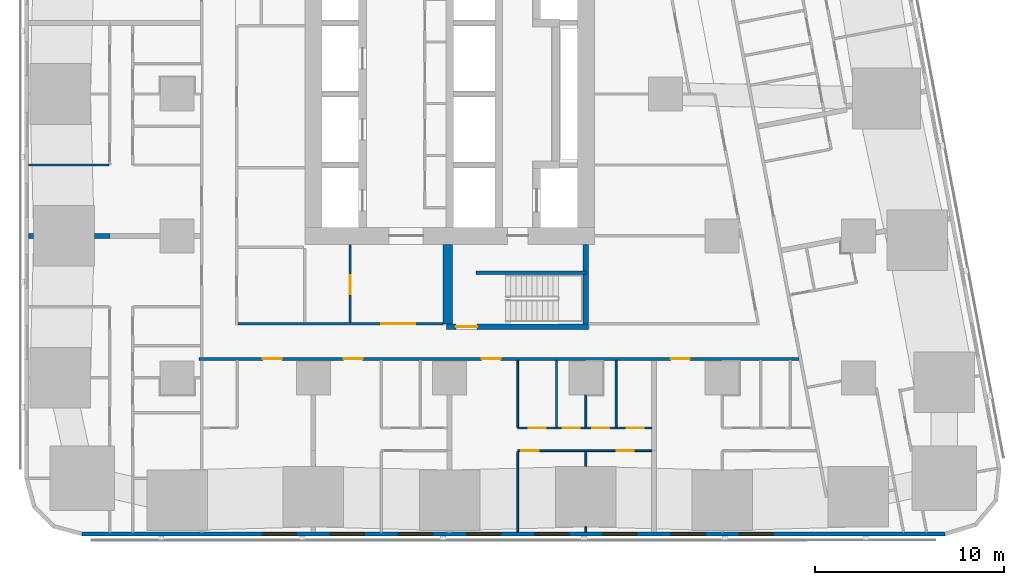
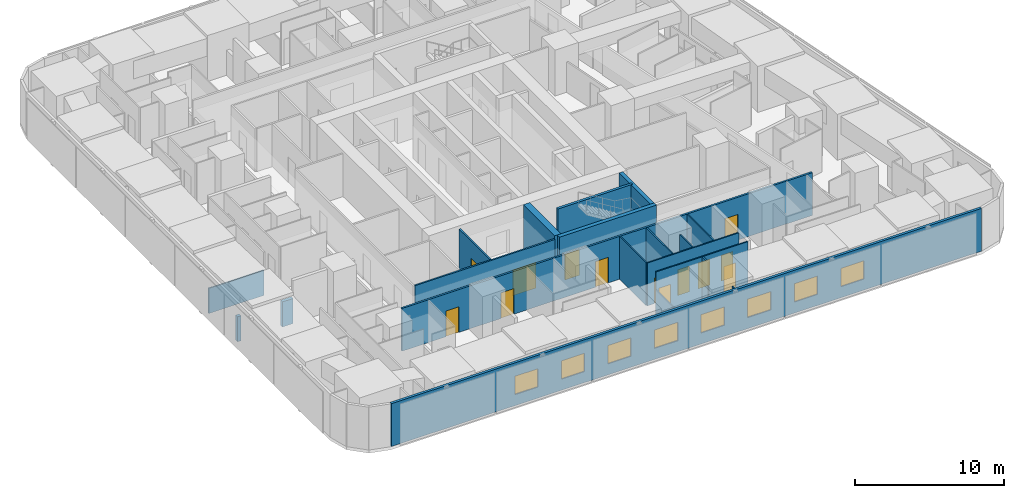
# One storey, part 3 of 17: 20 walls, 13 doors, 8 windows, 21 openings.
"""IFC4 building model written with IfcOpenShell, lengths in metres."""

from ifc_helpers import new_model, si_unit, direction, frame, frame_2d, origin, place, context, subcontext, project, spatial, rectangle, extrude, material, layer, layer_set, type_object, element, fill, save


model = new_model("IFC4")

# Units and contexts
model_context = context("Model", 3, precision=1e-05, world=origin(), true_north=direction((0.0, 1.0)))
body_context = subcontext(model_context, "Body", "Model", "MODEL_VIEW")
ifc_project = project(units=[si_unit("LENGTHUNIT", "METRE"), si_unit("AREAUNIT", "SQUARE_METRE"), si_unit("VOLUMEUNIT", "CUBIC_METRE"), si_unit("PLANEANGLEUNIT", "RADIAN"), si_unit("MASSUNIT", "GRAM", prefix="KILO")], contexts=[model_context])

# Site, building, storey
site_placement = place(None, origin())
site = spatial("IfcSite", under=ifc_project, at=site_placement, CompositionType="ELEMENT")
building_placement = place(site_placement, origin())
building = spatial("IfcBuilding", under=site, at=building_placement, Name="Sheger Commons Tower", CompositionType="ELEMENT")
storey_placement = place(building_placement, frame((0.0, 0.0, 23.75)))
storey = spatial("IfcBuildingStorey", under=building, at=storey_placement, Name="L05", CompositionType="ELEMENT", Elevation=23.75)

# Wall, openings, doors
ifc_material_1 = material(Name="Hollow concrete block masonry, skimmed both sides", Category="masonry")
ifc_layer_1 = layer(ifc_material_1, 0.14990234375)
ifc_layer_set_1 = layer_set([ifc_layer_1], Name="CORRIDOR WALL 150")
wall_type_1 = type_object("IfcWallType", Name="CORRIDOR WALL 150", PredefinedType="SOLIDWALL", material=ifc_layer_set_1)
wall_1_placement = place(storey_placement, frame((40.053955078125, 8.5, 0.0), z_axis=(0.0, 0.0, 1.0), x_axis=(-1.0, 0.0, 0.0)))
wall_1 = element("IfcWall", 1, at=wall_1_placement, inside=storey, type_object=wall_type_1, Name="Corridor wall L05", PredefinedType="SOLIDWALL", context=body_context, shape_type="SweptSolid", body=[
    extrude(rectangle(XDim=31.703857421875, YDim=0.14990234375, at=frame_2d((15.85205078125, 0.0))), origin(), (0.0, 0.0, 1.0), 3.5),
])
opening_1_placement = place(wall_1_placement, frame((27.321044921875, 0.0, 0.0)))
opening_1 = element("IfcOpeningElement", 2, at=opening_1_placement, cuts=wall_1, Name="Opening D1", PredefinedType="OPENING", context=body_context, shape_type="SweptSolid", body=[
    extrude(rectangle(XDim=1.0, YDim=2.10009765625, at=frame_2d((0.5, 1.050048828125))), frame((0.0, 0.0849609375, 0.0), z_axis=(0.0, -1.0, 0.0), x_axis=(1.0, 0.0, 0.0)), (0.0, 0.0, 1.0), 0.169921875),
])
opening_2_placement = place(wall_1_placement, frame((23.053955078125, 0.0, 0.0)))
opening_2 = element("IfcOpeningElement", 3, at=opening_2_placement, cuts=wall_1, Name="Opening D1", PredefinedType="OPENING", context=body_context, shape_type="SweptSolid", body=[
    extrude(rectangle(XDim=1.0, YDim=2.10009765625, at=frame_2d((0.5, 1.050048828125))), frame((0.0, 0.0849609375, 0.0), z_axis=(0.0, -1.0, 0.0), x_axis=(1.0, 0.0, 0.0)), (0.0, 0.0, 1.0), 0.169921875),
])
opening_3_placement = place(wall_1_placement, frame((15.75390625, 0.0, 0.0)))
opening_3 = element("IfcOpeningElement", 4, at=opening_3_placement, cuts=wall_1, Name="Opening D1", PredefinedType="OPENING", context=body_context, shape_type="SweptSolid", body=[
    extrude(rectangle(XDim=1.0, YDim=2.10009765625, at=frame_2d((0.5, 1.050048828125))), frame((0.0, 0.0849609375, 0.0), z_axis=(0.0, -1.0, 0.0), x_axis=(1.0, 0.0, 0.0)), (0.0, 0.0, 1.0), 0.169921875),
])
opening_4_placement = place(wall_1_placement, frame((5.75390625, 0.0, 0.0)))
opening_4 = element("IfcOpeningElement", 5, at=opening_4_placement, cuts=wall_1, Name="Opening D1", PredefinedType="OPENING", context=body_context, shape_type="SweptSolid", body=[
    extrude(rectangle(XDim=1.0, YDim=2.10009765625, at=frame_2d((0.5, 1.050048828125))), frame((0.0, 0.0849609375, 0.0), z_axis=(0.0, -1.0, 0.0), x_axis=(1.0, 0.0, 0.0)), (0.0, 0.0, 1.0), 0.169921875),
])
ifc_material_2 = material(Name="Steel door set, fire rated", Category="steel")
door_type_1 = type_object("IfcDoorType", Name="FLAT ENTRANCE DOOR 1000x2100", OperationType="NOTDEFINED", PredefinedType="DOOR", material=ifc_material_2)
door_1_placement = place(opening_1_placement, origin())
door_1 = element("IfcDoor", 6, at=door_1_placement, inside=storey, type_object=door_type_1, Name="Flat entrance door", OperationType="SINGLE_SWING_LEFT", OverallHeight=2.10009765625, OverallWidth=1.0, PredefinedType="DOOR", context=body_context, shape_type="SweptSolid", body=[
    extrude(rectangle(XDim=1.0, YDim=2.10009765625, at=frame_2d((0.5, 1.050048828125))), frame((0.0, 0.02490234375, 0.0), z_axis=(0.0, -1.0, 0.0), x_axis=(1.0, 0.0, 0.0)), (0.0, 0.0, 1.0), 0.050048828125),
])
fill(opening_1, door_1)
door_2_placement = place(opening_2_placement, origin())
door_2 = element("IfcDoor", 7, at=door_2_placement, inside=storey, type_object=door_type_1, Name="Flat entrance door", OperationType="SINGLE_SWING_LEFT", OverallHeight=2.10009765625, OverallWidth=1.0, PredefinedType="DOOR", context=body_context, shape_type="SweptSolid", body=[
    extrude(rectangle(XDim=1.0, YDim=2.10009765625, at=frame_2d((0.5, 1.050048828125))), frame((0.0, 0.02490234375, 0.0), z_axis=(0.0, -1.0, 0.0), x_axis=(1.0, 0.0, 0.0)), (0.0, 0.0, 1.0), 0.050048828125),
])
fill(opening_2, door_2)
door_3_placement = place(opening_3_placement, origin())
door_3 = element("IfcDoor", 8, at=door_3_placement, inside=storey, type_object=door_type_1, Name="Flat entrance door", OperationType="SINGLE_SWING_LEFT", OverallHeight=2.10009765625, OverallWidth=1.0, PredefinedType="DOOR", context=body_context, shape_type="SweptSolid", body=[
    extrude(rectangle(XDim=1.0, YDim=2.10009765625, at=frame_2d((0.5, 1.050048828125))), frame((0.0, 0.02490234375, 0.0), z_axis=(0.0, -1.0, 0.0), x_axis=(1.0, 0.0, 0.0)), (0.0, 0.0, 1.0), 0.050048828125),
])
fill(opening_3, door_3)
door_4_placement = place(opening_4_placement, origin())
door_4 = element("IfcDoor", 9, at=door_4_placement, inside=storey, type_object=door_type_1, Name="Flat entrance door", OperationType="SINGLE_SWING_RIGHT", OverallHeight=2.10009765625, OverallWidth=1.0, PredefinedType="DOOR", context=body_context, shape_type="SweptSolid", body=[
    extrude(rectangle(XDim=1.0, YDim=2.10009765625, at=frame_2d((0.5, 1.050048828125))), frame((0.0, 0.02490234375, 0.0), z_axis=(0.0, -1.0, 0.0), x_axis=(1.0, 0.0, 0.0)), (0.0, 0.0, 1.0), 0.050048828125),
])
fill(opening_4, door_4)

# Walls
ifc_material_3 = material(Name="Dense concrete block masonry, plastered both sides (separating wall between flats)", Category="masonry")
ifc_layer_2 = layer(ifc_material_3, 0.25)
ifc_layer_set_2 = layer_set([ifc_layer_2], Name="DEMISING WALL 250")
wall_type_2 = type_object("IfcWallType", Name="DEMISING WALL 250", PredefinedType="SOLIDWALL", material=ifc_layer_set_2)
wall_2_placement = place(storey_placement, frame((-0.64990234375, 15.0, 0.0), z_axis=(0.0, 0.0, 1.0), x_axis=(1.0, 0.0, 0.0)))
element("IfcWall", 10, at=wall_2_placement, inside=storey, type_object=wall_type_2, Name="Demising wall L05", PredefinedType="SOLIDWALL", context=body_context, shape_type="SweptSolid", body=[
    extrude(rectangle(XDim=0.27392578125, YDim=0.25, at=frame_2d((0.136962890625, 0.0))), origin(), (0.0, 0.0, 1.0), 2.050048828125),
])
wall_3_placement = place(storey_placement, frame((2.825927734375, 15.0, 0.0), z_axis=(0.0, 0.0, 1.0), x_axis=(1.0, 0.0, 0.0)))
element("IfcWall", 11, at=wall_3_placement, inside=storey, type_object=wall_type_2, Name="Demising wall L05", PredefinedType="SOLIDWALL", context=body_context, shape_type="SweptSolid", body=[
    extrude(rectangle(XDim=0.823974609375, YDim=0.25, at=frame_2d((0.412109375, 0.0))), origin(), (0.0, 0.0, 1.0), 2.050048828125),
])

# Wall, openings, windows
ifc_material_4 = material(Name="Rendered concrete block masonry, dark grey", Category="masonry")
ifc_layer_3 = layer(ifc_material_4, 0.199951171875)
ifc_layer_set_3 = layer_set([ifc_layer_3], Name="FACADE WALL 200")
wall_type_3 = type_object("IfcWallType", Name="FACADE WALL 200", PredefinedType="SOLIDWALL", material=ifc_layer_set_3)
wall_4_placement = place(storey_placement, frame((2.1630859375, -0.75, 0.0), z_axis=(0.0, 0.0, 1.0), x_axis=(1.0, 0.0, 0.0)))
wall_4 = element("IfcWall", 12, at=wall_4_placement, inside=storey, type_object=wall_type_3, Name="Facade wall L05", PredefinedType="SOLIDWALL", context=body_context, shape_type="SweptSolid", body=[
    extrude(rectangle(XDim=45.6279296875, YDim=0.199951171875, at=frame_2d((22.81396484375, 0.0))), origin(), (0.0, 0.0, 1.0), 3.5),
])
opening_5_placement = place(wall_4_placement, frame((9.537109375, 0.0, 0.89990234375)))
opening_5 = element("IfcOpeningElement", 13, at=opening_5_placement, cuts=wall_4, Name="Opening W2", PredefinedType="OPENING", context=body_context, shape_type="SweptSolid", body=[
    extrude(rectangle(XDim=1.800048828125, YDim=1.5, at=frame_2d((0.89990234375, 0.75))), frame((0.0, 0.10986328125, 0.0), z_axis=(0.0, -1.0, 0.0), x_axis=(1.0, 0.0, 0.0)), (0.0, 0.0, 1.0), 0.219970703125),
])
opening_6_placement = place(wall_4_placement, frame((13.136962890625, 0.0, 0.89990234375)))
opening_6 = element("IfcOpeningElement", 14, at=opening_6_placement, cuts=wall_4, Name="Opening W2", PredefinedType="OPENING", context=body_context, shape_type="SweptSolid", body=[
    extrude(rectangle(XDim=1.800048828125, YDim=1.5, at=frame_2d((0.89990234375, 0.75))), frame((0.0, 0.10986328125, 0.0), z_axis=(0.0, -1.0, 0.0), x_axis=(1.0, 0.0, 0.0)), (0.0, 0.0, 1.0), 0.219970703125),
])
opening_7_placement = place(wall_4_placement, frame((16.737060546875, 0.0, 0.89990234375)))
opening_7 = element("IfcOpeningElement", 15, at=opening_7_placement, cuts=wall_4, Name="Opening W2", PredefinedType="OPENING", context=body_context, shape_type="SweptSolid", body=[
    extrude(rectangle(XDim=1.800048828125, YDim=1.5, at=frame_2d((0.89990234375, 0.75))), frame((0.0, 0.10986328125, 0.0), z_axis=(0.0, -1.0, 0.0), x_axis=(1.0, 0.0, 0.0)), (0.0, 0.0, 1.0), 0.219970703125),
])
opening_8_placement = place(wall_4_placement, frame((20.3369140625, 0.0, 0.89990234375)))
opening_8 = element("IfcOpeningElement", 16, at=opening_8_placement, cuts=wall_4, Name="Opening W2", PredefinedType="OPENING", context=body_context, shape_type="SweptSolid", body=[
    extrude(rectangle(XDim=1.800048828125, YDim=1.5, at=frame_2d((0.89990234375, 0.75))), frame((0.0, 0.10986328125, 0.0), z_axis=(0.0, -1.0, 0.0), x_axis=(1.0, 0.0, 0.0)), (0.0, 0.0, 1.0), 0.219970703125),
])
opening_9_placement = place(wall_4_placement, frame((23.93701171875, 0.0, 0.89990234375)))
opening_9 = element("IfcOpeningElement", 17, at=opening_9_placement, cuts=wall_4, Name="Opening W2", PredefinedType="OPENING", context=body_context, shape_type="SweptSolid", body=[
    extrude(rectangle(XDim=1.800048828125, YDim=1.5, at=frame_2d((0.89990234375, 0.75))), frame((0.0, 0.10986328125, 0.0), z_axis=(0.0, -1.0, 0.0), x_axis=(1.0, 0.0, 0.0)), (0.0, 0.0, 1.0), 0.219970703125),
])
opening_10_placement = place(wall_4_placement, frame((27.537109375, 0.0, 0.89990234375)))
opening_10 = element("IfcOpeningElement", 18, at=opening_10_placement, cuts=wall_4, Name="Opening W2", PredefinedType="OPENING", context=body_context, shape_type="SweptSolid", body=[
    extrude(rectangle(XDim=1.800048828125, YDim=1.5, at=frame_2d((0.89990234375, 0.75))), frame((0.0, 0.10986328125, 0.0), z_axis=(0.0, -1.0, 0.0), x_axis=(1.0, 0.0, 0.0)), (0.0, 0.0, 1.0), 0.219970703125),
])
opening_11_placement = place(wall_4_placement, frame((31.136962890625, 0.0, 0.89990234375)))
opening_11 = element("IfcOpeningElement", 19, at=opening_11_placement, cuts=wall_4, Name="Opening W2", PredefinedType="OPENING", context=body_context, shape_type="SweptSolid", body=[
    extrude(rectangle(XDim=1.800048828125, YDim=1.5, at=frame_2d((0.89990234375, 0.75))), frame((0.0, 0.10986328125, 0.0), z_axis=(0.0, -1.0, 0.0), x_axis=(1.0, 0.0, 0.0)), (0.0, 0.0, 1.0), 0.219970703125),
])
opening_12_placement = place(wall_4_placement, frame((34.737060546875, 0.0, 0.89990234375)))
opening_12 = element("IfcOpeningElement", 20, at=opening_12_placement, cuts=wall_4, Name="Opening W2", PredefinedType="OPENING", context=body_context, shape_type="SweptSolid", body=[
    extrude(rectangle(XDim=1.800048828125, YDim=1.5, at=frame_2d((0.89990234375, 0.75))), frame((0.0, 0.10986328125, 0.0), z_axis=(0.0, -1.0, 0.0), x_axis=(1.0, 0.0, 0.0)), (0.0, 0.0, 1.0), 0.219970703125),
])
ifc_material_5 = material(Name="Black aluminium frame, dark tinted double glazing", Category="aluminium")
window_type = type_object("IfcWindowType", Name="WINDOW W2 1800x1500", PartitioningType="SINGLE_PANEL", PredefinedType="WINDOW", material=ifc_material_5)
window_1_placement = place(opening_5_placement, origin())
window_1 = element("IfcWindow", 21, at=window_1_placement, inside=storey, type_object=window_type, Name="Window W2 1800X1500", OverallHeight=1.5, OverallWidth=1.800048828125, PartitioningType="SINGLE_PANEL", PredefinedType="WINDOW", context=body_context, shape_type="SweptSolid", body=[
    extrude(rectangle(XDim=1.800048828125, YDim=1.5, at=frame_2d((0.89990234375, 0.75))), frame((0.0, 0.030029296875, 0.0), z_axis=(0.0, -1.0, 0.0), x_axis=(1.0, 0.0, 0.0)), (0.0, 0.0, 1.0), 0.06005859375),
])
fill(opening_5, window_1)
window_2_placement = place(opening_6_placement, origin())
window_2 = element("IfcWindow", 22, at=window_2_placement, inside=storey, type_object=window_type, Name="Window W2 1800X1500", OverallHeight=1.5, OverallWidth=1.800048828125, PartitioningType="SINGLE_PANEL", PredefinedType="WINDOW", context=body_context, shape_type="SweptSolid", body=[
    extrude(rectangle(XDim=1.800048828125, YDim=1.5, at=frame_2d((0.89990234375, 0.75))), frame((0.0, 0.030029296875, 0.0), z_axis=(0.0, -1.0, 0.0), x_axis=(1.0, 0.0, 0.0)), (0.0, 0.0, 1.0), 0.06005859375),
])
fill(opening_6, window_2)
window_3_placement = place(opening_7_placement, origin())
window_3 = element("IfcWindow", 23, at=window_3_placement, inside=storey, type_object=window_type, Name="Window W2 1800X1500", OverallHeight=1.5, OverallWidth=1.800048828125, PartitioningType="SINGLE_PANEL", PredefinedType="WINDOW", context=body_context, shape_type="SweptSolid", body=[
    extrude(rectangle(XDim=1.800048828125, YDim=1.5, at=frame_2d((0.89990234375, 0.75))), frame((0.0, 0.030029296875, 0.0), z_axis=(0.0, -1.0, 0.0), x_axis=(1.0, 0.0, 0.0)), (0.0, 0.0, 1.0), 0.06005859375),
])
fill(opening_7, window_3)
window_4_placement = place(opening_8_placement, origin())
window_4 = element("IfcWindow", 24, at=window_4_placement, inside=storey, type_object=window_type, Name="Window W2 1800X1500", OverallHeight=1.5, OverallWidth=1.800048828125, PartitioningType="SINGLE_PANEL", PredefinedType="WINDOW", context=body_context, shape_type="SweptSolid", body=[
    extrude(rectangle(XDim=1.800048828125, YDim=1.5, at=frame_2d((0.89990234375, 0.75))), frame((0.0, 0.030029296875, 0.0), z_axis=(0.0, -1.0, 0.0), x_axis=(1.0, 0.0, 0.0)), (0.0, 0.0, 1.0), 0.06005859375),
])
fill(opening_8, window_4)
window_5_placement = place(opening_9_placement, origin())
window_5 = element("IfcWindow", 25, at=window_5_placement, inside=storey, type_object=window_type, Name="Window W2 1800X1500", OverallHeight=1.5, OverallWidth=1.800048828125, PartitioningType="SINGLE_PANEL", PredefinedType="WINDOW", context=body_context, shape_type="SweptSolid", body=[
    extrude(rectangle(XDim=1.800048828125, YDim=1.5, at=frame_2d((0.89990234375, 0.75))), frame((0.0, 0.030029296875, 0.0), z_axis=(0.0, -1.0, 0.0), x_axis=(1.0, 0.0, 0.0)), (0.0, 0.0, 1.0), 0.06005859375),
])
fill(opening_9, window_5)
window_6_placement = place(opening_10_placement, origin())
window_6 = element("IfcWindow", 26, at=window_6_placement, inside=storey, type_object=window_type, Name="Window W2 1800X1500", OverallHeight=1.5, OverallWidth=1.800048828125, PartitioningType="SINGLE_PANEL", PredefinedType="WINDOW", context=body_context, shape_type="SweptSolid", body=[
    extrude(rectangle(XDim=1.800048828125, YDim=1.5, at=frame_2d((0.89990234375, 0.75))), frame((0.0, 0.030029296875, 0.0), z_axis=(0.0, -1.0, 0.0), x_axis=(1.0, 0.0, 0.0)), (0.0, 0.0, 1.0), 0.06005859375),
])
fill(opening_10, window_6)
window_7_placement = place(opening_11_placement, origin())
window_7 = element("IfcWindow", 27, at=window_7_placement, inside=storey, type_object=window_type, Name="Window W2 1800X1500", OverallHeight=1.5, OverallWidth=1.800048828125, PartitioningType="SINGLE_PANEL", PredefinedType="WINDOW", context=body_context, shape_type="SweptSolid", body=[
    extrude(rectangle(XDim=1.800048828125, YDim=1.5, at=frame_2d((0.89990234375, 0.75))), frame((0.0, 0.030029296875, 0.0), z_axis=(0.0, -1.0, 0.0), x_axis=(1.0, 0.0, 0.0)), (0.0, 0.0, 1.0), 0.06005859375),
])
fill(opening_11, window_7)
window_8_placement = place(opening_12_placement, origin())
window_8 = element("IfcWindow", 28, at=window_8_placement, inside=storey, type_object=window_type, Name="Window W2 1800X1500", OverallHeight=1.5, OverallWidth=1.800048828125, PartitioningType="SINGLE_PANEL", PredefinedType="WINDOW", context=body_context, shape_type="SweptSolid", body=[
    extrude(rectangle(XDim=1.800048828125, YDim=1.5, at=frame_2d((0.89990234375, 0.75))), frame((0.0, 0.030029296875, 0.0), z_axis=(0.0, -1.0, 0.0), x_axis=(1.0, 0.0, 0.0)), (0.0, 0.0, 1.0), 0.06005859375),
])
fill(opening_12, window_8)

# Wall
ifc_material_6 = material(Name="Gypsum board on steel studs", Category="steel")
ifc_layer_4 = layer(ifc_material_6, 0.10009765625)
ifc_layer_set_4 = layer_set([ifc_layer_4], Name="PARTITION 100")
wall_type_4 = type_object("IfcWallType", Name="PARTITION 100", PredefinedType="PARTITIONING", material=ifc_layer_set_4)
wall_5_placement = place(storey_placement, frame((-0.64990234375, 18.75, 0.0), z_axis=(0.0, 0.0, 1.0), x_axis=(1.0, 0.0, 0.0)))
element("IfcWall", 29, at=wall_5_placement, inside=storey, type_object=wall_type_4, Name="Partition L05", PredefinedType="PARTITIONING", context=body_context, shape_type="SweptSolid", body=[
    extrude(rectangle(XDim=4.25, YDim=0.10009765625, at=frame_2d((2.125, 0.0))), origin(), (0.0, 0.0, 1.0), 2.050048828125),
])

# Wall, openings, doors
wall_6_placement = place(storey_placement, frame((32.27490234375, 3.64990234375, 0.0), z_axis=(0.0, 0.0, 1.0), x_axis=(-1.0, 0.0, 0.0)))
wall_6 = element("IfcWall", 30, at=wall_6_placement, inside=storey, type_object=wall_type_4, Name="Partition L05", PredefinedType="PARTITIONING", context=body_context, shape_type="SweptSolid", body=[
    extrude(rectangle(XDim=7.074951171875, YDim=0.10009765625, at=frame_2d((3.53759765625, 0.0))), origin(), (0.0, 0.0, 1.0), 3.5),
])
opening_13_placement = place(wall_6_placement, frame((5.97509765625, 0.0, 0.0)))
opening_13 = element("IfcOpeningElement", 31, at=opening_13_placement, cuts=wall_6, Name="Opening D2", PredefinedType="OPENING", context=body_context, shape_type="SweptSolid", body=[
    extrude(rectangle(XDim=0.89990234375, YDim=2.10009765625, at=frame_2d((0.449951171875, 1.050048828125))), frame((0.0, 0.06005859375, 0.0), z_axis=(0.0, -1.0, 0.0), x_axis=(1.0, 0.0, 0.0)), (0.0, 0.0, 1.0), 0.1201171875),
])
opening_14_placement = place(wall_6_placement, frame((0.949951171875, 0.0, 0.0)))
opening_14 = element("IfcOpeningElement", 32, at=opening_14_placement, cuts=wall_6, Name="Opening D2", PredefinedType="OPENING", context=body_context, shape_type="SweptSolid", body=[
    extrude(rectangle(XDim=0.89990234375, YDim=2.10009765625, at=frame_2d((0.449951171875, 1.050048828125))), frame((0.0, 0.06005859375, 0.0), z_axis=(0.0, -1.0, 0.0), x_axis=(1.0, 0.0, 0.0)), (0.0, 0.0, 1.0), 0.1201171875),
])
ifc_material_7 = material(Name="Timber door set", Category="wood")
door_type_2 = type_object("IfcDoorType", Name="INTERNAL DOOR 900x2100", OperationType="NOTDEFINED", PredefinedType="DOOR", material=ifc_material_7)
door_5_placement = place(opening_13_placement, origin())
door_5 = element("IfcDoor", 33, at=door_5_placement, inside=storey, type_object=door_type_2, Name="Main bedroom door", OperationType="SINGLE_SWING_RIGHT", OverallHeight=2.10009765625, OverallWidth=0.89990234375, PredefinedType="DOOR", context=body_context, shape_type="SweptSolid", body=[
    extrude(rectangle(XDim=0.89990234375, YDim=2.10009765625, at=frame_2d((0.449951171875, 1.050048828125))), frame((0.0, 0.02490234375, 0.0), z_axis=(0.0, -1.0, 0.0), x_axis=(1.0, 0.0, 0.0)), (0.0, 0.0, 1.0), 0.050048828125),
])
fill(opening_13, door_5)
door_6_placement = place(opening_14_placement, origin())
door_6 = element("IfcDoor", 34, at=door_6_placement, inside=storey, type_object=door_type_2, Name="Bedroom 2 door", OperationType="SINGLE_SWING_LEFT", OverallHeight=2.10009765625, OverallWidth=0.89990234375, PredefinedType="DOOR", context=body_context, shape_type="SweptSolid", body=[
    extrude(rectangle(XDim=0.89990234375, YDim=2.10009765625, at=frame_2d((0.449951171875, 1.050048828125))), frame((0.0, 0.02490234375, 0.0), z_axis=(0.0, -1.0, 0.0), x_axis=(1.0, 0.0, 0.0)), (0.0, 0.0, 1.0), 0.050048828125),
])
fill(opening_14, door_6)

wall_7_placement = place(storey_placement, frame((32.27490234375, 4.85009765625, 0.0), z_axis=(0.0, 0.0, 1.0), x_axis=(-1.0, 0.0, 0.0)))
wall_7 = element("IfcWall", 35, at=wall_7_placement, inside=storey, type_object=wall_type_4, Name="Partition L05", PredefinedType="PARTITIONING", context=body_context, shape_type="SweptSolid", body=[
    extrude(rectangle(XDim=7.074951171875, YDim=0.10009765625, at=frame_2d((3.53759765625, 0.0))), origin(), (0.0, 0.0, 1.0), 3.5),
])
opening_15_placement = place(wall_7_placement, frame((5.60009765625, 0.0, 0.0)))
opening_15 = element("IfcOpeningElement", 36, at=opening_15_placement, cuts=wall_7, Name="Opening D2", PredefinedType="OPENING", context=body_context, shape_type="SweptSolid", body=[
    extrude(rectangle(XDim=0.89990234375, YDim=2.10009765625, at=frame_2d((0.449951171875, 1.050048828125))), frame((0.0, 0.06005859375, 0.0), z_axis=(0.0, -1.0, 0.0), x_axis=(1.0, 0.0, 0.0)), (0.0, 0.0, 1.0), 0.1201171875),
])
opening_16_placement = place(wall_7_placement, frame((2.22509765625, 0.0, 0.0)))
opening_16 = element("IfcOpeningElement", 37, at=opening_16_placement, cuts=wall_7, Name="Opening D2", PredefinedType="OPENING", context=body_context, shape_type="SweptSolid", body=[
    extrude(rectangle(XDim=0.89990234375, YDim=2.10009765625, at=frame_2d((0.449951171875, 1.050048828125))), frame((0.0, 0.06005859375, 0.0), z_axis=(0.0, -1.0, 0.0), x_axis=(1.0, 0.0, 0.0)), (0.0, 0.0, 1.0), 0.1201171875),
])
opening_17_placement = place(wall_7_placement, frame((3.800048828125, 0.0, 0.0)))
opening_17 = element("IfcOpeningElement", 38, at=opening_17_placement, cuts=wall_7, Name="Opening D2", PredefinedType="OPENING", context=body_context, shape_type="SweptSolid", body=[
    extrude(rectangle(XDim=0.89990234375, YDim=2.10009765625, at=frame_2d((0.449951171875, 1.050048828125))), frame((0.0, 0.06005859375, 0.0), z_axis=(0.0, -1.0, 0.0), x_axis=(1.0, 0.0, 0.0)), (0.0, 0.0, 1.0), 0.1201171875),
])
opening_18_placement = place(wall_7_placement, frame((0.425048828125, 0.0, 0.0)))
opening_18 = element("IfcOpeningElement", 39, at=opening_18_placement, cuts=wall_7, Name="Opening D2", PredefinedType="OPENING", context=body_context, shape_type="SweptSolid", body=[
    extrude(rectangle(XDim=0.89990234375, YDim=2.10009765625, at=frame_2d((0.449951171875, 1.050048828125))), frame((0.0, 0.06005859375, 0.0), z_axis=(0.0, -1.0, 0.0), x_axis=(1.0, 0.0, 0.0)), (0.0, 0.0, 1.0), 0.1201171875),
])
door_7_placement = place(opening_15_placement, origin())
door_7 = element("IfcDoor", 40, at=door_7_placement, inside=storey, type_object=door_type_2, Name="Bathroom door", OperationType="SINGLE_SWING_LEFT", OverallHeight=2.10009765625, OverallWidth=0.89990234375, PredefinedType="DOOR", context=body_context, shape_type="SweptSolid", body=[
    extrude(rectangle(XDim=0.89990234375, YDim=2.10009765625, at=frame_2d((0.449951171875, 1.050048828125))), frame((0.0, 0.02490234375, 0.0), z_axis=(0.0, -1.0, 0.0), x_axis=(1.0, 0.0, 0.0)), (0.0, 0.0, 1.0), 0.050048828125),
])
fill(opening_15, door_7)
door_8_placement = place(opening_16_placement, origin())
door_8 = element("IfcDoor", 41, at=door_8_placement, inside=storey, type_object=door_type_2, Name="Shower room door", OperationType="SINGLE_SWING_RIGHT", OverallHeight=2.10009765625, OverallWidth=0.89990234375, PredefinedType="DOOR", context=body_context, shape_type="SweptSolid", body=[
    extrude(rectangle(XDim=0.89990234375, YDim=2.10009765625, at=frame_2d((0.449951171875, 1.050048828125))), frame((0.0, 0.02490234375, 0.0), z_axis=(0.0, -1.0, 0.0), x_axis=(1.0, 0.0, 0.0)), (0.0, 0.0, 1.0), 0.050048828125),
])
fill(opening_16, door_8)
door_9_placement = place(opening_17_placement, origin())
door_9 = element("IfcDoor", 42, at=door_9_placement, inside=storey, type_object=door_type_2, Name="Store door", OperationType="SINGLE_SWING_RIGHT", OverallHeight=2.10009765625, OverallWidth=0.89990234375, PredefinedType="DOOR", context=body_context, shape_type="SweptSolid", body=[
    extrude(rectangle(XDim=0.89990234375, YDim=2.10009765625, at=frame_2d((0.449951171875, 1.050048828125))), frame((0.0, 0.02490234375, 0.0), z_axis=(0.0, -1.0, 0.0), x_axis=(1.0, 0.0, 0.0)), (0.0, 0.0, 1.0), 0.050048828125),
])
fill(opening_17, door_9)
door_10_placement = place(opening_18_placement, origin())
door_10 = element("IfcDoor", 43, at=door_10_placement, inside=storey, type_object=door_type_2, Name="Store door", OperationType="SINGLE_SWING_RIGHT", OverallHeight=2.10009765625, OverallWidth=0.89990234375, PredefinedType="DOOR", context=body_context, shape_type="SweptSolid", body=[
    extrude(rectangle(XDim=0.89990234375, YDim=2.10009765625, at=frame_2d((0.449951171875, 1.050048828125))), frame((0.0, 0.02490234375, 0.0), z_axis=(0.0, -1.0, 0.0), x_axis=(1.0, 0.0, 0.0)), (0.0, 0.0, 1.0), 0.050048828125),
])
fill(opening_18, door_10)

# Walls
wall_8_placement = place(storey_placement, frame((25.199951171875, -0.64990234375, 0.0), z_axis=(0.0, 0.0, 1.0), x_axis=(0.0, 1.0, 0.0)))
element("IfcWall", 44, at=wall_8_placement, inside=storey, type_object=wall_type_4, Name="Partition L05", PredefinedType="PARTITIONING", context=body_context, shape_type="SweptSolid", body=[
    extrude(rectangle(XDim=4.25, YDim=0.10009765625, at=frame_2d((2.125, 0.0))), origin(), (0.0, 0.0, 1.0), 2.050048828125),
])
wall_9_placement = place(storey_placement, frame((28.800048828125, -0.64990234375, 0.0), z_axis=(0.0, 0.0, 1.0), x_axis=(0.0, 1.0, 0.0)))
element("IfcWall", 45, at=wall_9_placement, inside=storey, type_object=wall_type_4, Name="Partition L05", PredefinedType="PARTITIONING", context=body_context, shape_type="SweptSolid", body=[
    extrude(rectangle(XDim=0.27392578125, YDim=0.10009765625, at=frame_2d((0.136962890625, 0.0))), origin(), (0.0, 0.0, 1.0), 3.5),
])
wall_10_placement = place(storey_placement, frame((28.800048828125, 2.825927734375, 0.0), z_axis=(0.0, 0.0, 1.0), x_axis=(0.0, 1.0, 0.0)))
element("IfcWall", 46, at=wall_10_placement, inside=storey, type_object=wall_type_4, Name="Partition L05", PredefinedType="PARTITIONING", context=body_context, shape_type="SweptSolid", body=[
    extrude(rectangle(XDim=0.774169921875, YDim=0.10009765625, at=frame_2d((0.38720703125, 0.0))), origin(), (0.0, 0.0, 1.0), 3.5),
])
wall_11_placement = place(storey_placement, frame((25.199951171875, 4.89990234375, 0.0), z_axis=(0.0, 0.0, 1.0), x_axis=(0.0, 1.0, 0.0)))
element("IfcWall", 47, at=wall_11_placement, inside=storey, type_object=wall_type_4, Name="Partition L05", PredefinedType="PARTITIONING", context=body_context, shape_type="SweptSolid", body=[
    extrude(rectangle(XDim=3.525146484375, YDim=0.10009765625, at=frame_2d((1.7626953125, 0.0))), origin(), (0.0, 0.0, 1.0), 3.5),
])
wall_12_placement = place(storey_placement, frame((28.800048828125, 4.89990234375, 0.0), z_axis=(0.0, 0.0, 1.0), x_axis=(0.0, 1.0, 0.0)))
element("IfcWall", 48, at=wall_12_placement, inside=storey, type_object=wall_type_4, Name="Partition L05", PredefinedType="PARTITIONING", context=body_context, shape_type="SweptSolid", body=[
    extrude(rectangle(XDim=1.69921875, YDim=0.10009765625, at=frame_2d((0.849609375, 0.0))), origin(), (0.0, 0.0, 1.0), 3.5),
])
for number, where, z_axis, x_axis, name in (
    (49, (27.25, 4.89990234375, 0.0), (0.0, 0.0, 1.0), (0.0, 1.0, 0.0), "Partition L05"),
    (50, (30.39990234375, 4.89990234375, 0.0), (0.0, 0.0, 1.0), (0.0, 1.0, 0.0), "Partition L05"),
):
    element("IfcWall", number, at=place(storey_placement, frame(where, z_axis=z_axis, x_axis=x_axis)), inside=storey, type_object=wall_type_4, Name=name, PredefinedType="PARTITIONING", context=body_context, shape_type="SweptSolid", body=[
        extrude(rectangle(XDim=3.525146484375, YDim=0.10009765625, at=frame_2d((1.7626953125, 0.0))), origin(), (0.0, 0.0, 1.0), 3.5),
    ])

# Wall, opening, door
ifc_material_8 = material(Name="Gypsum board on steel studs, two layers each side, fire rated", Category="steel")
ifc_layer_5 = layer(ifc_material_8, 0.125)
ifc_layer_set_5 = layer_set([ifc_layer_5], Name="SERVICE WALL 125")
wall_type_5 = type_object("IfcWallType", Name="SERVICE WALL 125", PredefinedType="PARTITIONING", material=ifc_layer_set_5)
wall_13_placement = place(storey_placement, frame((10.4130859375, 10.35009765625, 0.0), z_axis=(0.0, 0.0, 1.0), x_axis=(1.0, 0.0, 0.0)))
wall_13 = element("IfcWall", 51, at=wall_13_placement, inside=storey, type_object=wall_type_5, Name="Service room wall L05", PredefinedType="PARTITIONING", context=body_context, shape_type="SweptSolid", body=[
    extrude(rectangle(XDim=10.8369140625, YDim=0.125, at=frame_2d((5.41845703125, 0.0))), origin(), (0.0, 0.0, 1.0), 3.5),
])
opening_19_placement = place(wall_13_placement, frame((7.58203125, 0.0, 0.0)))
opening_19 = element("IfcOpeningElement", 52, at=opening_19_placement, cuts=wall_13, Name="Opening D6", PredefinedType="OPENING", context=body_context, shape_type="SweptSolid", body=[
    extrude(rectangle(XDim=1.800048828125, YDim=2.10009765625, at=frame_2d((0.89990234375, 1.050048828125))), frame((0.0, 0.072509765625, 0.0), z_axis=(0.0, -1.0, 0.0), x_axis=(1.0, 0.0, 0.0)), (0.0, 0.0, 1.0), 0.14501953125),
])
ifc_material_9 = material(Name="Steel door set, fire rated", Category="steel")
door_type_3 = type_object("IfcDoorType", Name="LOBBY DOUBLE DOOR 1800x2100", OperationType="DOUBLE_DOOR_SINGLE_SWING", PredefinedType="DOOR", material=ifc_material_9)
door_11_placement = place(opening_19_placement, origin())
door_11 = element("IfcDoor", 53, at=door_11_placement, inside=storey, type_object=door_type_3, Name="Lift lobby south door", OperationType="DOUBLE_DOOR_SINGLE_SWING", OverallHeight=2.10009765625, OverallWidth=1.800048828125, PredefinedType="DOOR", context=body_context, shape_type="SweptSolid", body=[
    extrude(rectangle(XDim=1.800048828125, YDim=2.10009765625, at=frame_2d((0.89990234375, 1.050048828125))), frame((0.0, 0.02490234375, 0.0), z_axis=(0.0, -1.0, 0.0), x_axis=(1.0, 0.0, 0.0)), (0.0, 0.0, 1.0), 0.050048828125),
])
fill(opening_19, door_11)

wall_14_placement = place(storey_placement, frame((16.340087890625, 10.4130859375, 0.0), z_axis=(0.0, 0.0, 1.0), x_axis=(0.0, 1.0, 0.0)))
wall_14 = element("IfcWall", 54, at=wall_14_placement, inside=storey, type_object=wall_type_5, Name="Service room wall L05", PredefinedType="PARTITIONING", context=body_context, shape_type="SweptSolid", body=[
    extrude(rectangle(XDim=4.136962890625, YDim=0.125, at=frame_2d((2.068359375, 0.0))), origin(), (0.0, 0.0, 1.0), 3.5),
])
opening_20_placement = place(wall_14_placement, frame((1.511962890625, 0.0, 0.0)))
opening_20 = element("IfcOpeningElement", 55, at=opening_20_placement, cuts=wall_14, Name="Opening D4", PredefinedType="OPENING", context=body_context, shape_type="SweptSolid", body=[
    extrude(rectangle(XDim=1.0, YDim=2.10009765625, at=frame_2d((0.5, 1.050048828125))), frame((0.0, 0.072509765625, 0.0), z_axis=(0.0, -1.0, 0.0), x_axis=(1.0, 0.0, 0.0)), (0.0, 0.0, 1.0), 0.14501953125),
])
ifc_material_10 = material(Name="Steel door set, fire rated", Category="steel")
door_type_4 = type_object("IfcDoorType", Name="SERVICE DOOR 1000x2100", OperationType="NOTDEFINED", PredefinedType="DOOR", material=ifc_material_10)
door_12_placement = place(opening_20_placement, origin())
door_12 = element("IfcDoor", 56, at=door_12_placement, inside=storey, type_object=door_type_4, Name="Electrical room door", OperationType="SINGLE_SWING_LEFT", OverallHeight=2.10009765625, OverallWidth=1.0, PredefinedType="DOOR", context=body_context, shape_type="SweptSolid", body=[
    extrude(rectangle(XDim=1.0, YDim=2.10009765625, at=frame_2d((0.5, 1.050048828125))), frame((0.0, 0.02490234375, 0.0), z_axis=(0.0, -1.0, 0.0), x_axis=(1.0, 0.0, 0.0)), (0.0, 0.0, 1.0), 0.050048828125),
])
fill(opening_20, door_12)

ifc_material_11 = material(Name="Concrete C50/60", Category="concrete")
ifc_layer_6 = layer(ifc_material_11, 0.300048828125)
ifc_layer_set_6 = layer_set([ifc_layer_6], Name="STAIR CORE WALL 300")
wall_type_6 = type_object("IfcWallType", Name="STAIR CORE WALL 300", PredefinedType="SHEAR", material=ifc_layer_set_6)
wall_15_placement = place(storey_placement, frame((21.449951171875, 10.199951171875, 0.0), z_axis=(0.0, 0.0, 1.0), x_axis=(1.0, 0.0, 0.0)))
wall_15 = element("IfcWall", 57, at=wall_15_placement, inside=storey, type_object=wall_type_6, Name="STW-L05-S1S", PredefinedType="SHEAR", context=body_context, shape_type="SweptSolid", body=[
    extrude(rectangle(XDim=7.5, YDim=0.300048828125, at=frame_2d((3.75, 0.0))), origin(), (0.0, 0.0, 1.0), 3.75),
])
opening_21_placement = place(wall_15_placement, frame((0.5, 0.0, 0.0)))
opening_21 = element("IfcOpeningElement", 58, at=opening_21_placement, cuts=wall_15, Name="Opening D5", PredefinedType="OPENING", context=body_context, shape_type="SweptSolid", body=[
    extrude(rectangle(XDim=1.10009765625, YDim=2.10009765625, at=frame_2d((0.550048828125, 1.050048828125))), frame((0.0, 0.159912109375, 0.0), z_axis=(0.0, -1.0, 0.0), x_axis=(1.0, 0.0, 0.0)), (0.0, 0.0, 1.0), 0.320068359375),
])
ifc_material_12 = material(Name="Steel door set, fire rated", Category="steel")
door_type_5 = type_object("IfcDoorType", Name="STAIR DOOR 1100x2100", OperationType="NOTDEFINED", PredefinedType="DOOR", material=ifc_material_12)
door_13_placement = place(opening_21_placement, origin())
door_13 = element("IfcDoor", 59, at=door_13_placement, inside=storey, type_object=door_type_5, Name="Stair S1 door", OperationType="SINGLE_SWING_LEFT", OverallHeight=2.10009765625, OverallWidth=1.10009765625, PredefinedType="DOOR", context=body_context, shape_type="SweptSolid", body=[
    extrude(rectangle(XDim=1.10009765625, YDim=2.10009765625, at=frame_2d((0.550048828125, 1.050048828125))), frame((0.0, 0.02490234375, 0.0), z_axis=(0.0, -1.0, 0.0), x_axis=(1.0, 0.0, 0.0)), (0.0, 0.0, 1.0), 0.050048828125),
])
fill(opening_21, door_13)

# Walls
wall_16_placement = place(storey_placement, frame((28.800048828125, 10.35009765625, 0.0), z_axis=(0.0, 0.0, 1.0), x_axis=(0.0, 1.0, 0.0)))
element("IfcWall", 60, at=wall_16_placement, inside=storey, type_object=wall_type_6, Name="STW-L05-S1E", PredefinedType="SHEAR", context=body_context, shape_type="SweptSolid", body=[
    extrude(rectangle(XDim=4.199951171875, YDim=0.300048828125, at=frame_2d((2.10009765625, 0.0))), origin(), (0.0, 0.0, 1.0), 3.75),
])
ifc_material_13 = material(Name="Concrete C50/60", Category="concrete")
ifc_layer_7 = layer(ifc_material_13, 0.5)
ifc_layer_set_7 = layer_set([ifc_layer_7], Name="STAIR CORE WALL 500")
wall_type_7 = type_object("IfcWallType", Name="STAIR CORE WALL 500", PredefinedType="SHEAR", material=ifc_layer_set_7)
wall_17_placement = place(storey_placement, frame((21.5, 10.35009765625, 0.0), z_axis=(0.0, 0.0, 1.0), x_axis=(0.0, 1.0, 0.0)))
element("IfcWall", 61, at=wall_17_placement, inside=storey, type_object=wall_type_7, Name="STW-L05-S1W", PredefinedType="SHEAR", context=body_context, shape_type="SweptSolid", body=[
    extrude(rectangle(XDim=4.199951171875, YDim=0.5, at=frame_2d((2.10009765625, 0.0))), origin(), (0.0, 0.0, 1.0), 3.75),
])
ifc_material_14 = material(Name="Concrete C50/60", Category="concrete")
ifc_layer_8 = layer(ifc_material_14, 0.199951171875)
ifc_layer_set_8 = layer_set([ifc_layer_8], Name="STAIR SPINE WALL 200")
wall_type_8 = type_object("IfcWallType", Name="STAIR SPINE WALL 200", PredefinedType="SHEAR", material=ifc_layer_set_8)
wall_18_placement = place(storey_placement, frame((23.0, 13.050048828125, 0.0), z_axis=(0.0, 0.0, 1.0), x_axis=(1.0, 0.0, 0.0)))
element("IfcWall", 62, at=wall_18_placement, inside=storey, type_object=wall_type_8, Name="Stair spine wall L05", PredefinedType="SHEAR", context=body_context, shape_type="SweptSolid", body=[
    extrude(rectangle(XDim=5.800048828125, YDim=0.199951171875, at=frame_2d((2.89990234375, 0.0))), origin(), (0.0, 0.0, 1.0), 3.75),
])

save(model, "model.ifc")
